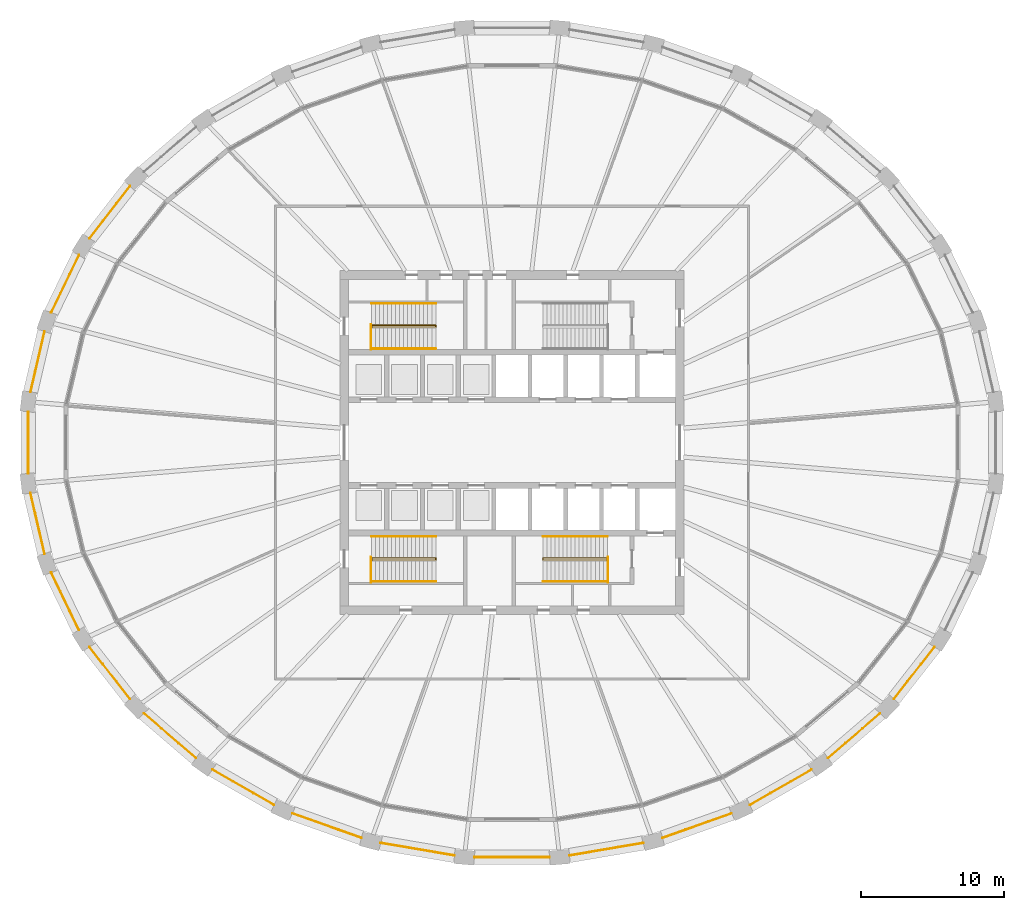
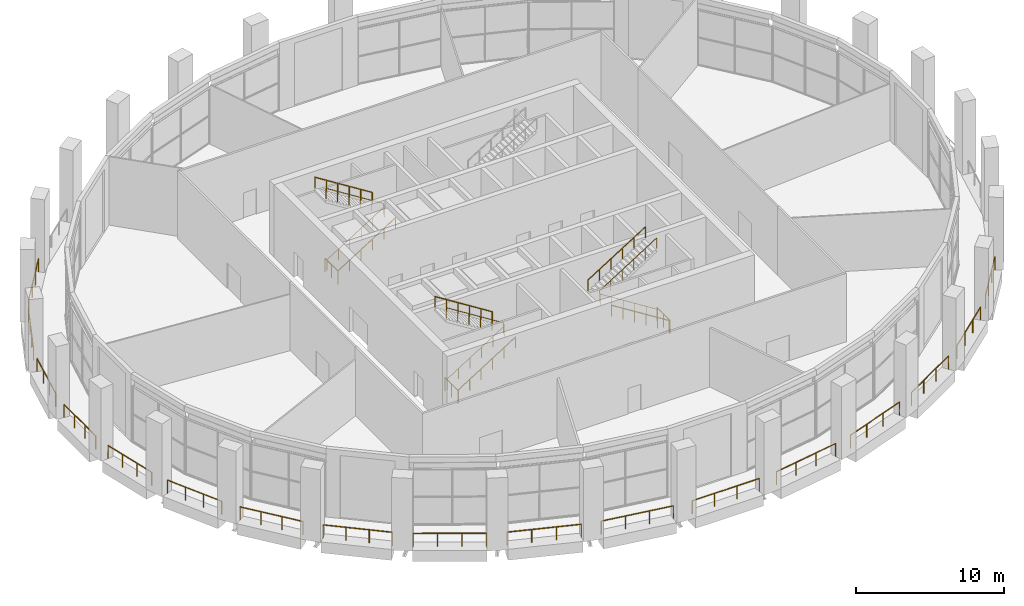
# One storey, part 17 of 19: 29 railings.
"""IFC4 building model written with IfcOpenShell, lengths in metres."""

from ifc_helpers import new_model, si_unit, direction, frame, origin, origin_2d, place, context, subcontext, project, spatial, circle, extrude, material, type_object, element, save


model = new_model("IFC4")

# Units and contexts
model_context = context("Model", 3, precision=1e-05, world=origin(), true_north=direction((0.0, 1.0)))
body_context = subcontext(model_context, "Body", "Model", "MODEL_VIEW")
ifc_project = project(units=[si_unit("LENGTHUNIT", "METRE"), si_unit("AREAUNIT", "SQUARE_METRE"), si_unit("VOLUMEUNIT", "CUBIC_METRE"), si_unit("PLANEANGLEUNIT", "RADIAN"), si_unit("MASSUNIT", "GRAM", prefix="KILO")], contexts=[model_context])

# Site, building, storey
site_placement = place(None, origin())
site = spatial("IfcSite", under=ifc_project, at=site_placement, CompositionType="ELEMENT")
building_placement = place(site_placement, origin())
building = spatial("IfcBuilding", under=site, at=building_placement, Name="Halqa Exchange Tower", CompositionType="ELEMENT")
storey_placement = place(building_placement, frame((0.0, 0.0, 167.5)))
storey = spatial("IfcBuildingStorey", under=building, at=storey_placement, Name="L38", CompositionType="ELEMENT", Elevation=167.5)

# Railings
ifc_material = material(Name="Stainless steel", Category="steel")
railing_type_1 = type_object("IfcRailingType", Name="Guard 1100 stainless steel", PredefinedType="GUARDRAIL", material=ifc_material)
railing_1_placement = place(storey_placement, frame((-26.65185546875, 17.89306640625, 0.0)))
element("IfcRailing", 1, at=railing_1_placement, inside=storey, type_object=railing_type_1, Name="Loggia guard 13", PredefinedType="GUARDRAIL", context=body_context, shape_type="SweptSolid", body=[
    extrude(circle(Radius=0.02392578125, at=origin_2d()), frame((0.0, 0.0, 1.076171875), z_axis=(-0.614787396714, -0.788692878655, 0.0), x_axis=(0.788692878655, -0.614787396714, 0.0)), (0.0, 0.0, 1.0), 4.60888671875),
    extrude(circle(Radius=0.02099609375, at=origin_2d()), origin(), (0.0, 0.0, 1.0), 1.052001953125),
    extrude(circle(Radius=0.02099609375, at=origin_2d()), frame((-0.944580078125, -1.211669921875, 0.0)), (0.0, 0.0, 1.0), 1.052001953125),
    extrude(circle(Radius=0.02099609375, at=origin_2d()), frame((-1.888916015625, -2.42333984375, 0.0)), (0.0, 0.0, 1.0), 1.052001953125),
    extrude(circle(Radius=0.02099609375, at=origin_2d()), frame((-2.83349609375, -3.635009765625, 0.0)), (0.0, 0.0, 1.0), 1.052001953125),
])
railing_2_placement = place(storey_placement, frame((-30.22021484375, 13.07568359375, 0.0)))
element("IfcRailing", 2, at=railing_2_placement, inside=storey, type_object=railing_type_1, Name="Loggia guard 14", PredefinedType="GUARDRAIL", context=body_context, shape_type="SweptSolid", body=[
    extrude(circle(Radius=0.02392578125, at=origin_2d()), frame((0.0, 0.0, 1.076171875), z_axis=(-0.435143450916, -0.900361137058, 0.0), x_axis=(0.900361137058, -0.435143450916, 0.0)), (0.0, 0.0, 1.0), 4.44873046875),
    extrude(circle(Radius=0.02099609375, at=origin_2d()), origin(), (0.0, 0.0, 1.0), 1.052001953125),
    extrude(circle(Radius=0.02099609375, at=origin_2d()), frame((-0.645263671875, -1.335205078125, 0.0)), (0.0, 0.0, 1.0), 1.052001953125),
    extrude(circle(Radius=0.02099609375, at=origin_2d()), frame((-1.29052734375, -2.670166015625, 0.0)), (0.0, 0.0, 1.0), 1.052001953125),
    extrude(circle(Radius=0.02099609375, at=origin_2d()), frame((-1.935791015625, -4.00537109375, 0.0)), (0.0, 0.0, 1.0), 1.052001953125),
])
railing_3_placement = place(storey_placement, frame((-32.61865234375, 7.75830078125, 0.0)))
element("IfcRailing", 3, at=railing_3_placement, inside=storey, type_object=railing_type_1, Name="Loggia guard 15", PredefinedType="GUARDRAIL", context=body_context, shape_type="SweptSolid", body=[
    extrude(circle(Radius=0.02392578125, at=origin_2d()), frame((0.0, 0.0, 1.076171875), z_axis=(-0.226083943623, -0.974107822798, 0.0), x_axis=(0.974107822798, -0.226083943623, 0.0)), (0.0, 0.0, 1.0), 4.3388671875),
    extrude(circle(Radius=0.02099609375, at=origin_2d()), origin(), (0.0, 0.0, 1.0), 1.052001953125),
    extrude(circle(Radius=0.02099609375, at=origin_2d()), frame((-0.326904296875, -1.408935546875, 0.0)), (0.0, 0.0, 1.0), 1.052001953125),
    extrude(circle(Radius=0.02099609375, at=origin_2d()), frame((-0.654052734375, -2.817626953125, 0.0)), (0.0, 0.0, 1.0), 1.052001953125),
    extrude(circle(Radius=0.02099609375, at=origin_2d()), frame((-0.98095703125, -4.2265625, 0.0)), (0.0, 0.0, 1.0), 1.052001953125),
])
railing_4_placement = place(storey_placement, frame((-33.7578125, 2.14990234375, 0.0)))
element("IfcRailing", 4, at=railing_4_placement, inside=storey, type_object=railing_type_1, Name="Loggia guard 16", PredefinedType="GUARDRAIL", context=body_context, shape_type="SweptSolid", body=[
    extrude(circle(Radius=0.02392578125, at=origin_2d()), frame((0.0, 0.0, 1.076171875), z_axis=(0.0, -1.0, 0.0), x_axis=(1.0, 0.0, 0.0)), (0.0, 0.0, 1.0), 4.2998046875),
    extrude(circle(Radius=0.02099609375, at=origin_2d()), origin(), (0.0, 0.0, 1.0), 1.052001953125),
    extrude(circle(Radius=0.02099609375, at=origin_2d()), frame((0.0, -1.433349609375, 0.0)), (0.0, 0.0, 1.0), 1.052001953125),
    extrude(circle(Radius=0.02099609375, at=origin_2d()), frame((0.0, -2.866455078125, 0.0)), (0.0, 0.0, 1.0), 1.052001953125),
    extrude(circle(Radius=0.02099609375, at=origin_2d()), frame((0.0, -4.2998046875, 0.0)), (0.0, 0.0, 1.0), 1.052001953125),
])
railing_5_placement = place(storey_placement, frame((-33.599609375, -3.53173828125, 0.0)))
element("IfcRailing", 5, at=railing_5_placement, inside=storey, type_object=railing_type_1, Name="Loggia guard 17", PredefinedType="GUARDRAIL", context=body_context, shape_type="SweptSolid", body=[
    extrude(circle(Radius=0.02392578125, at=origin_2d()), frame((0.0, 0.0, 1.076171875), z_axis=(0.226083943623, -0.974107822798, 0.0), x_axis=(0.974107822798, 0.226083943623, 0.0)), (0.0, 0.0, 1.0), 4.3388671875),
    extrude(circle(Radius=0.02099609375, at=origin_2d()), origin(), (0.0, 0.0, 1.0), 1.052001953125),
    extrude(circle(Radius=0.02099609375, at=origin_2d()), frame((0.326904296875, -1.408935546875, 0.0)), (0.0, 0.0, 1.0), 1.052001953125),
    extrude(circle(Radius=0.02099609375, at=origin_2d()), frame((0.654052734375, -2.817626953125, 0.0)), (0.0, 0.0, 1.0), 1.052001953125),
    extrude(circle(Radius=0.02099609375, at=origin_2d()), frame((0.98095703125, -4.2265625, 0.0)), (0.0, 0.0, 1.0), 1.052001953125),
])
railing_6_placement = place(storey_placement, frame((-32.156005859375, -9.0703125, 0.0)))
element("IfcRailing", 6, at=railing_6_placement, inside=storey, type_object=railing_type_1, Name="Loggia guard 18", PredefinedType="GUARDRAIL", context=body_context, shape_type="SweptSolid", body=[
    extrude(circle(Radius=0.02392578125, at=origin_2d()), frame((0.0, 0.0, 1.076171875), z_axis=(0.435143450916, -0.900361137058, 0.0), x_axis=(0.900361137058, 0.435143450916, 0.0)), (0.0, 0.0, 1.0), 4.44873046875),
    extrude(circle(Radius=0.02099609375, at=origin_2d()), origin(), (0.0, 0.0, 1.0), 1.052001953125),
    extrude(circle(Radius=0.02099609375, at=origin_2d()), frame((0.645263671875, -1.335205078125, 0.0)), (0.0, 0.0, 1.0), 1.052001953125),
    extrude(circle(Radius=0.02099609375, at=origin_2d()), frame((1.29052734375, -2.670166015625, 0.0)), (0.0, 0.0, 1.0), 1.052001953125),
    extrude(circle(Radius=0.02099609375, at=origin_2d()), frame((1.935791015625, -4.00537109375, 0.0)), (0.0, 0.0, 1.0), 1.052001953125),
])
railing_7_placement = place(storey_placement, frame((-29.4853515625, -14.258056640625, 0.0)))
element("IfcRailing", 7, at=railing_7_placement, inside=storey, type_object=railing_type_1, Name="Loggia guard 19", PredefinedType="GUARDRAIL", context=body_context, shape_type="SweptSolid", body=[
    extrude(circle(Radius=0.02392578125, at=origin_2d()), frame((0.0, 0.0, 1.076171875), z_axis=(0.614787396714, -0.788692878655, 0.0), x_axis=(0.788692878655, 0.614787396714, 0.0)), (0.0, 0.0, 1.0), 4.60888671875),
    extrude(circle(Radius=0.02099609375, at=origin_2d()), origin(), (0.0, 0.0, 1.0), 1.052001953125),
    extrude(circle(Radius=0.02099609375, at=origin_2d()), frame((0.944580078125, -1.211669921875, 0.0)), (0.0, 0.0, 1.0), 1.052001953125),
    extrude(circle(Radius=0.02099609375, at=origin_2d()), frame((1.888916015625, -2.42333984375, 0.0)), (0.0, 0.0, 1.0), 1.052001953125),
    extrude(circle(Radius=0.02099609375, at=origin_2d()), frame((2.83349609375, -3.635009765625, 0.0)), (0.0, 0.0, 1.0), 1.052001953125),
])
railing_8_placement = place(storey_placement, frame((-25.68994140625, -18.900634765625, 0.0)))
element("IfcRailing", 8, at=railing_8_placement, inside=storey, type_object=railing_type_1, Name="Loggia guard 20", PredefinedType="GUARDRAIL", context=body_context, shape_type="SweptSolid", body=[
    extrude(circle(Radius=0.02392578125, at=origin_2d()), frame((0.0, 0.0, 1.076171875), z_axis=(0.759245815902, -0.650803957452, 0.0), x_axis=(0.650803957452, 0.759245815902, 0.0)), (0.0, 0.0, 1.0), 4.793212890625),
    extrude(circle(Radius=0.02099609375, at=origin_2d()), origin(), (0.0, 0.0, 1.0), 1.052001953125),
    extrude(circle(Radius=0.02099609375, at=origin_2d()), frame((1.213134765625, -1.039794921875, 0.0)), (0.0, 0.0, 1.0), 1.052001953125),
    extrude(circle(Radius=0.02099609375, at=origin_2d()), frame((2.426025390625, -2.07958984375, 0.0)), (0.0, 0.0, 1.0), 1.052001953125),
    extrude(circle(Radius=0.02099609375, at=origin_2d()), frame((3.63916015625, -3.119384765625, 0.0)), (0.0, 0.0, 1.0), 1.052001953125),
])
railing_9_placement = place(storey_placement, frame((-20.911865234375, -22.8232421875, 0.0)))
element("IfcRailing", 9, at=railing_9_placement, inside=storey, type_object=railing_type_1, Name="Loggia guard 21", PredefinedType="GUARDRAIL", context=body_context, shape_type="SweptSolid", body=[
    extrude(circle(Radius=0.02392578125, at=origin_2d()), frame((0.0, 0.0, 1.076171875), z_axis=(0.867750144397, -0.497000691044, 0.0), x_axis=(0.497000691044, 0.867750144397, 0.0)), (0.0, 0.0, 1.0), 4.9716796875),
    extrude(circle(Radius=0.02099609375, at=origin_2d()), origin(), (0.0, 0.0, 1.0), 1.052001953125),
    extrude(circle(Radius=0.02099609375, at=origin_2d()), frame((1.43798828125, -0.82373046875, 0.0)), (0.0, 0.0, 1.0), 1.052001953125),
    extrude(circle(Radius=0.02099609375, at=origin_2d()), frame((2.876220703125, -1.647216796875, 0.0)), (0.0, 0.0, 1.0), 1.052001953125),
    extrude(circle(Radius=0.02099609375, at=origin_2d()), frame((4.314208984375, -2.470947265625, 0.0)), (0.0, 0.0, 1.0), 1.052001953125),
])
railing_10_placement = place(storey_placement, frame((-15.33056640625, -25.876220703125, 0.0)))
element("IfcRailing", 10, at=railing_10_placement, inside=storey, type_object=railing_type_1, Name="Loggia guard 22", PredefinedType="GUARDRAIL", context=body_context, shape_type="SweptSolid", body=[
    extrude(circle(Radius=0.02392578125, at=origin_2d()), frame((0.0, 0.0, 1.076171875), z_axis=(0.942356449768, -0.334610701532, 0.0), x_axis=(0.334610701532, 0.942356449768, 0.0)), (0.0, 0.0, 1.0), 5.119140625),
    extrude(circle(Radius=0.02099609375, at=origin_2d()), origin(), (0.0, 0.0, 1.0), 1.052001953125),
    extrude(circle(Radius=0.02099609375, at=origin_2d()), frame((1.60791015625, -0.571044921875, 0.0)), (0.0, 0.0, 1.0), 1.052001953125),
    extrude(circle(Radius=0.02099609375, at=origin_2d()), frame((3.216064453125, -1.141845703125, 0.0)), (0.0, 0.0, 1.0), 1.052001953125),
    extrude(circle(Radius=0.02099609375, at=origin_2d()), frame((4.823974609375, -1.712890625, 0.0)), (0.0, 0.0, 1.0), 1.052001953125),
])
railing_11_placement = place(storey_placement, frame((-9.15673828125, -27.94091796875, 0.0)))
element("IfcRailing", 11, at=railing_11_placement, inside=storey, type_object=railing_type_1, Name="Loggia guard 23", PredefinedType="GUARDRAIL", context=body_context, shape_type="SweptSolid", body=[
    extrude(circle(Radius=0.02392578125, at=origin_2d()), frame((0.0, 0.0, 1.076171875), z_axis=(0.985781275518, -0.168033558668, 0.0), x_axis=(0.168033558668, 0.985781275518, 0.0)), (0.0, 0.0, 1.0), 5.216064453125),
    extrude(circle(Radius=0.02099609375, at=origin_2d()), origin(), (0.0, 0.0, 1.0), 1.052001953125),
    extrude(circle(Radius=0.02099609375, at=origin_2d()), frame((1.7138671875, -0.292236328125, 0.0)), (0.0, 0.0, 1.0), 1.052001953125),
    extrude(circle(Radius=0.02099609375, at=origin_2d()), frame((3.427978515625, -0.584228515625, 0.0)), (0.0, 0.0, 1.0), 1.052001953125),
    extrude(circle(Radius=0.02099609375, at=origin_2d()), frame((5.141845703125, -0.87646484375, 0.0)), (0.0, 0.0, 1.0), 1.052001953125),
])
railing_12_placement = place(storey_placement, frame((-2.624755859375, -28.935302734375, 0.0)))
element("IfcRailing", 12, at=railing_12_placement, inside=storey, type_object=railing_type_1, Name="Loggia guard 24", PredefinedType="GUARDRAIL", context=body_context, shape_type="SweptSolid", body=[
    extrude(circle(Radius=0.02392578125, at=origin_2d()), frame((0.0, 0.0, 1.076171875), z_axis=(1.0, 0.0, 0.0), x_axis=(0.0, 1.0, 0.0)), (0.0, 0.0, 1.0), 5.24951171875),
    extrude(circle(Radius=0.02099609375, at=origin_2d()), origin(), (0.0, 0.0, 1.0), 1.052001953125),
    extrude(circle(Radius=0.02099609375, at=origin_2d()), frame((1.749755859375, 0.0, 0.0)), (0.0, 0.0, 1.0), 1.052001953125),
    extrude(circle(Radius=0.02099609375, at=origin_2d()), frame((3.499755859375, 0.0, 0.0)), (0.0, 0.0, 1.0), 1.052001953125),
    extrude(circle(Radius=0.02099609375, at=origin_2d()), frame((5.24951171875, 0.0, 0.0)), (0.0, 0.0, 1.0), 1.052001953125),
])
railing_13_placement = place(storey_placement, frame((4.014892578125, -28.8173828125, 0.0)))
element("IfcRailing", 13, at=railing_13_placement, inside=storey, type_object=railing_type_1, Name="Loggia guard 25", PredefinedType="GUARDRAIL", context=body_context, shape_type="SweptSolid", body=[
    extrude(circle(Radius=0.02392578125, at=origin_2d()), frame((0.0, 0.0, 1.076171875), z_axis=(0.985781275518, 0.168033558668, 0.0), x_axis=(-0.168033558668, 0.985781275518, 0.0)), (0.0, 0.0, 1.0), 5.216064453125),
    extrude(circle(Radius=0.02099609375, at=origin_2d()), origin(), (0.0, 0.0, 1.0), 1.052001953125),
    extrude(circle(Radius=0.02099609375, at=origin_2d()), frame((1.7138671875, 0.292236328125, 0.0)), (0.0, 0.0, 1.0), 1.052001953125),
    extrude(circle(Radius=0.02099609375, at=origin_2d()), frame((3.427978515625, 0.584228515625, 0.0)), (0.0, 0.0, 1.0), 1.052001953125),
    extrude(circle(Radius=0.02099609375, at=origin_2d()), frame((5.141845703125, 0.87646484375, 0.0)), (0.0, 0.0, 1.0), 1.052001953125),
])
railing_14_placement = place(storey_placement, frame((10.506591796875, -27.589111328125, 0.0)))
element("IfcRailing", 14, at=railing_14_placement, inside=storey, type_object=railing_type_1, Name="Loggia guard 26", PredefinedType="GUARDRAIL", context=body_context, shape_type="SweptSolid", body=[
    extrude(circle(Radius=0.02392578125, at=origin_2d()), frame((0.0, 0.0, 1.076171875), z_axis=(0.942356449768, 0.334610701532, 0.0), x_axis=(-0.334610701532, 0.942356449768, 0.0)), (0.0, 0.0, 1.0), 5.119140625),
    extrude(circle(Radius=0.02099609375, at=origin_2d()), origin(), (0.0, 0.0, 1.0), 1.052001953125),
    extrude(circle(Radius=0.02099609375, at=origin_2d()), frame((1.60791015625, 0.571044921875, 0.0)), (0.0, 0.0, 1.0), 1.052001953125),
    extrude(circle(Radius=0.02099609375, at=origin_2d()), frame((3.216064453125, 1.141845703125, 0.0)), (0.0, 0.0, 1.0), 1.052001953125),
    extrude(circle(Radius=0.02099609375, at=origin_2d()), frame((4.823974609375, 1.712890625, 0.0)), (0.0, 0.0, 1.0), 1.052001953125),
])
railing_15_placement = place(storey_placement, frame((16.59765625, -25.294189453125, 0.0)))
element("IfcRailing", 15, at=railing_15_placement, inside=storey, type_object=railing_type_1, Name="Loggia guard 27", PredefinedType="GUARDRAIL", context=body_context, shape_type="SweptSolid", body=[
    extrude(circle(Radius=0.02392578125, at=origin_2d()), frame((0.0, 0.0, 1.076171875), z_axis=(0.867750144397, 0.497000691044, 0.0), x_axis=(-0.497000691044, 0.867750144397, 0.0)), (0.0, 0.0, 1.0), 4.9716796875),
    extrude(circle(Radius=0.02099609375, at=origin_2d()), origin(), (0.0, 0.0, 1.0), 1.052001953125),
    extrude(circle(Radius=0.02099609375, at=origin_2d()), frame((1.43798828125, 0.82373046875, 0.0)), (0.0, 0.0, 1.0), 1.052001953125),
    extrude(circle(Radius=0.02099609375, at=origin_2d()), frame((2.876220703125, 1.647216796875, 0.0)), (0.0, 0.0, 1.0), 1.052001953125),
    extrude(circle(Radius=0.02099609375, at=origin_2d()), frame((4.314208984375, 2.470947265625, 0.0)), (0.0, 0.0, 1.0), 1.052001953125),
])
railing_16_placement = place(storey_placement, frame((22.05078125, -22.02001953125, 0.0)))
element("IfcRailing", 16, at=railing_16_placement, inside=storey, type_object=railing_type_1, Name="Loggia guard 28", PredefinedType="GUARDRAIL", context=body_context, shape_type="SweptSolid", body=[
    extrude(circle(Radius=0.02392578125, at=origin_2d()), frame((0.0, 0.0, 1.076171875), z_axis=(0.759245815902, 0.650803957452, 0.0), x_axis=(-0.650803957452, 0.759245815902, 0.0)), (0.0, 0.0, 1.0), 4.793212890625),
    extrude(circle(Radius=0.02099609375, at=origin_2d()), origin(), (0.0, 0.0, 1.0), 1.052001953125),
    extrude(circle(Radius=0.02099609375, at=origin_2d()), frame((1.213134765625, 1.039794921875, 0.0)), (0.0, 0.0, 1.0), 1.052001953125),
    extrude(circle(Radius=0.02099609375, at=origin_2d()), frame((2.426025390625, 2.07958984375, 0.0)), (0.0, 0.0, 1.0), 1.052001953125),
    extrude(circle(Radius=0.02099609375, at=origin_2d()), frame((3.63916015625, 3.119384765625, 0.0)), (0.0, 0.0, 1.0), 1.052001953125),
])
railing_17_placement = place(storey_placement, frame((26.65185546875, -17.89306640625, 0.0)))
element("IfcRailing", 17, at=railing_17_placement, inside=storey, type_object=railing_type_1, Name="Loggia guard 29", PredefinedType="GUARDRAIL", context=body_context, shape_type="SweptSolid", body=[
    extrude(circle(Radius=0.02392578125, at=origin_2d()), frame((0.0, 0.0, 1.076171875), z_axis=(0.614787396714, 0.788692878655, 0.0), x_axis=(-0.788692878655, 0.614787396714, 0.0)), (0.0, 0.0, 1.0), 4.60888671875),
    extrude(circle(Radius=0.02099609375, at=origin_2d()), origin(), (0.0, 0.0, 1.0), 1.052001953125),
    extrude(circle(Radius=0.02099609375, at=origin_2d()), frame((0.944580078125, 1.211669921875, 0.0)), (0.0, 0.0, 1.0), 1.052001953125),
    extrude(circle(Radius=0.02099609375, at=origin_2d()), frame((1.888916015625, 2.42333984375, 0.0)), (0.0, 0.0, 1.0), 1.052001953125),
    extrude(circle(Radius=0.02099609375, at=origin_2d()), frame((2.83349609375, 3.635009765625, 0.0)), (0.0, 0.0, 1.0), 1.052001953125),
])
railing_type_2 = type_object("IfcRailingType", Name="Stair handrail 900", PredefinedType="HANDRAIL", material=ifc_material)
railing_18_placement = place(storey_placement, frame((-9.800048828125, 8.06005859375, 0.176513671875)))
element("IfcRailing", 18, at=railing_18_placement, inside=storey, type_object=railing_type_2, Name="Handrail ST1.1", PredefinedType="HANDRAIL", context=body_context, shape_type="SweptSolid", body=[
    extrude(circle(Radius=0.02392578125, at=origin_2d()), frame((0.0, 0.0, 0.8759765625), z_axis=(0.845997938375, 0.0, 0.533186166611), x_axis=(0.0, 1.0, 0.0)), (0.0, 0.0, 1.0), 5.29541015625),
    extrude(circle(Radius=0.02392578125, at=origin_2d()), frame((4.47998046875, 0.0, 3.69921875), z_axis=(0.0, 0.592666891562, 0.805447674059), x_axis=(-1.0, 0.0, 0.0)), (0.0, 0.0, 1.0), 0.21923828125),
    extrude(circle(Radius=0.02392578125, at=origin_2d()), frame((4.47998046875, 0.1298828125, 3.8759765625), z_axis=(-0.845997938375, 0.0, 0.533186166611), x_axis=(0.0, -1.0, 0.0)), (0.0, 0.0, 1.0), 5.29541015625),
    extrude(circle(Radius=0.02099609375, at=origin_2d()), origin(), (0.0, 0.0, 1.0), 0.851806640625),
    extrude(circle(Radius=0.02099609375, at=origin_2d()), frame((0.89599609375, 0.0, 0.564697265625)), (0.0, 0.0, 1.0), 0.851806640625),
    extrude(circle(Radius=0.02099609375, at=origin_2d()), frame((1.7919921875, 0.0, 1.12939453125)), (0.0, 0.0, 1.0), 0.851806640625),
    extrude(circle(Radius=0.02099609375, at=origin_2d()), frame((2.68798828125, 0.0, 1.694091796875)), (0.0, 0.0, 1.0), 0.851806640625),
    extrude(circle(Radius=0.02099609375, at=origin_2d()), frame((3.583984375, 0.0, 2.2587890625)), (0.0, 0.0, 1.0), 0.851806640625),
    extrude(circle(Radius=0.02099609375, at=origin_2d()), frame((4.47998046875, 0.0, 2.823486328125)), (0.0, 0.0, 1.0), 0.851806640625),
    extrude(circle(Radius=0.02099609375, at=origin_2d()), frame((4.47998046875, 0.1298828125, 3.0)), (0.0, 0.0, 1.0), 0.851806640625),
    extrude(circle(Radius=0.02099609375, at=origin_2d()), frame((3.583984375, 0.1298828125, 3.564697265625)), (0.0, 0.0, 1.0), 0.851806640625),
    extrude(circle(Radius=0.02099609375, at=origin_2d()), frame((2.68798828125, 0.1298828125, 4.12939453125)), (0.0, 0.0, 1.0), 0.851806640625),
    extrude(circle(Radius=0.02099609375, at=origin_2d()), frame((1.7919921875, 0.1298828125, 4.694091796875)), (0.0, 0.0, 1.0), 0.851806640625),
    extrude(circle(Radius=0.02099609375, at=origin_2d()), frame((0.89599609375, 0.1298828125, 5.2587890625)), (0.0, 0.0, 1.0), 0.851806640625),
    extrude(circle(Radius=0.02099609375, at=origin_2d()), frame((0.0, 0.1298828125, 5.823486328125)), (0.0, 0.0, 1.0), 0.851806640625),
])
railing_19_placement = place(storey_placement, frame((-9.800048828125, 6.550048828125, 0.176513671875)))
element("IfcRailing", 19, at=railing_19_placement, inside=storey, type_object=railing_type_2, Name="Handrail ST1.2", PredefinedType="HANDRAIL", context=body_context, shape_type="SweptSolid", body=[
    extrude(circle(Radius=0.02392578125, at=origin_2d()), frame((0.0, 0.0, 0.8759765625), z_axis=(0.845997938375, 0.0, 0.533186166611), x_axis=(0.0, 1.0, 0.0)), (0.0, 0.0, 1.0), 5.29541015625),
    extrude(circle(Radius=0.02099609375, at=origin_2d()), origin(), (0.0, 0.0, 1.0), 0.851806640625),
    extrude(circle(Radius=0.02099609375, at=origin_2d()), frame((0.89599609375, 0.0, 0.564697265625)), (0.0, 0.0, 1.0), 0.851806640625),
    extrude(circle(Radius=0.02099609375, at=origin_2d()), frame((1.7919921875, 0.0, 1.12939453125)), (0.0, 0.0, 1.0), 0.851806640625),
    extrude(circle(Radius=0.02099609375, at=origin_2d()), frame((2.68798828125, 0.0, 1.694091796875)), (0.0, 0.0, 1.0), 0.851806640625),
    extrude(circle(Radius=0.02099609375, at=origin_2d()), frame((3.583984375, 0.0, 2.2587890625)), (0.0, 0.0, 1.0), 0.851806640625),
    extrude(circle(Radius=0.02099609375, at=origin_2d()), frame((4.47998046875, 0.0, 2.823486328125)), (0.0, 0.0, 1.0), 0.851806640625),
])
railing_20_placement = place(storey_placement, frame((-5.320068359375, 9.699951171875, 3.176513671875)))
element("IfcRailing", 20, at=railing_20_placement, inside=storey, type_object=railing_type_2, Name="Handrail ST1.3", PredefinedType="HANDRAIL", context=body_context, shape_type="SweptSolid", body=[
    extrude(circle(Radius=0.02392578125, at=origin_2d()), frame((0.0, 0.0, 0.8759765625), z_axis=(-0.845997938375, 0.0, 0.533186166611), x_axis=(0.0, -1.0, 0.0)), (0.0, 0.0, 1.0), 5.29541015625),
    extrude(circle(Radius=0.02099609375, at=origin_2d()), origin(), (0.0, 0.0, 1.0), 0.851806640625),
    extrude(circle(Radius=0.02099609375, at=origin_2d()), frame((-0.89599609375, 0.0, 0.564697265625)), (0.0, 0.0, 1.0), 0.851806640625),
    extrude(circle(Radius=0.02099609375, at=origin_2d()), frame((-1.7919921875, 0.0, 1.12939453125)), (0.0, 0.0, 1.0), 0.851806640625),
    extrude(circle(Radius=0.02099609375, at=origin_2d()), frame((-2.68798828125, 0.0, 1.694091796875)), (0.0, 0.0, 1.0), 0.851806640625),
    extrude(circle(Radius=0.02099609375, at=origin_2d()), frame((-3.583984375, 0.0, 2.2587890625)), (0.0, 0.0, 1.0), 0.851806640625),
    extrude(circle(Radius=0.02099609375, at=origin_2d()), frame((-4.47998046875, 0.0, 2.823486328125)), (0.0, 0.0, 1.0), 0.851806640625),
])
railing_21_placement = place(storey_placement, frame((-9.800048828125, -8.18994140625, 0.176513671875)))
element("IfcRailing", 21, at=railing_21_placement, inside=storey, type_object=railing_type_2, Name="Handrail ST3.1", PredefinedType="HANDRAIL", context=body_context, shape_type="SweptSolid", body=[
    extrude(circle(Radius=0.02392578125, at=origin_2d()), frame((0.0, 0.0, 0.8759765625), z_axis=(0.845997938375, 0.0, 0.533186166611), x_axis=(0.0, 1.0, 0.0)), (0.0, 0.0, 1.0), 5.29541015625),
    extrude(circle(Radius=0.02392578125, at=origin_2d()), frame((4.47998046875, 0.0, 3.69921875), z_axis=(0.0, 0.592666891562, 0.805447674059), x_axis=(-1.0, 0.0, 0.0)), (0.0, 0.0, 1.0), 0.21923828125),
    extrude(circle(Radius=0.02392578125, at=origin_2d()), frame((4.47998046875, 0.1298828125, 3.8759765625), z_axis=(-0.845997938375, 0.0, 0.533186166611), x_axis=(0.0, -1.0, 0.0)), (0.0, 0.0, 1.0), 5.29541015625),
    extrude(circle(Radius=0.02099609375, at=origin_2d()), origin(), (0.0, 0.0, 1.0), 0.851806640625),
    extrude(circle(Radius=0.02099609375, at=origin_2d()), frame((0.89599609375, 0.0, 0.564697265625)), (0.0, 0.0, 1.0), 0.851806640625),
    extrude(circle(Radius=0.02099609375, at=origin_2d()), frame((1.7919921875, 0.0, 1.12939453125)), (0.0, 0.0, 1.0), 0.851806640625),
    extrude(circle(Radius=0.02099609375, at=origin_2d()), frame((2.68798828125, 0.0, 1.694091796875)), (0.0, 0.0, 1.0), 0.851806640625),
    extrude(circle(Radius=0.02099609375, at=origin_2d()), frame((3.583984375, 0.0, 2.2587890625)), (0.0, 0.0, 1.0), 0.851806640625),
    extrude(circle(Radius=0.02099609375, at=origin_2d()), frame((4.47998046875, 0.0, 2.823486328125)), (0.0, 0.0, 1.0), 0.851806640625),
    extrude(circle(Radius=0.02099609375, at=origin_2d()), frame((4.47998046875, 0.1298828125, 3.0)), (0.0, 0.0, 1.0), 0.851806640625),
    extrude(circle(Radius=0.02099609375, at=origin_2d()), frame((3.583984375, 0.1298828125, 3.564697265625)), (0.0, 0.0, 1.0), 0.851806640625),
    extrude(circle(Radius=0.02099609375, at=origin_2d()), frame((2.68798828125, 0.1298828125, 4.12939453125)), (0.0, 0.0, 1.0), 0.851806640625),
    extrude(circle(Radius=0.02099609375, at=origin_2d()), frame((1.7919921875, 0.1298828125, 4.694091796875)), (0.0, 0.0, 1.0), 0.851806640625),
    extrude(circle(Radius=0.02099609375, at=origin_2d()), frame((0.89599609375, 0.1298828125, 5.2587890625)), (0.0, 0.0, 1.0), 0.851806640625),
    extrude(circle(Radius=0.02099609375, at=origin_2d()), frame((0.0, 0.1298828125, 5.823486328125)), (0.0, 0.0, 1.0), 0.851806640625),
])
railing_22_placement = place(storey_placement, frame((-9.800048828125, -9.699951171875, 0.176513671875)))
element("IfcRailing", 22, at=railing_22_placement, inside=storey, type_object=railing_type_2, Name="Handrail ST3.2", PredefinedType="HANDRAIL", context=body_context, shape_type="SweptSolid", body=[
    extrude(circle(Radius=0.02392578125, at=origin_2d()), frame((0.0, 0.0, 0.8759765625), z_axis=(0.845997938375, 0.0, 0.533186166611), x_axis=(0.0, 1.0, 0.0)), (0.0, 0.0, 1.0), 5.29541015625),
    extrude(circle(Radius=0.02099609375, at=origin_2d()), origin(), (0.0, 0.0, 1.0), 0.851806640625),
    extrude(circle(Radius=0.02099609375, at=origin_2d()), frame((0.89599609375, 0.0, 0.564697265625)), (0.0, 0.0, 1.0), 0.851806640625),
    extrude(circle(Radius=0.02099609375, at=origin_2d()), frame((1.7919921875, 0.0, 1.12939453125)), (0.0, 0.0, 1.0), 0.851806640625),
    extrude(circle(Radius=0.02099609375, at=origin_2d()), frame((2.68798828125, 0.0, 1.694091796875)), (0.0, 0.0, 1.0), 0.851806640625),
    extrude(circle(Radius=0.02099609375, at=origin_2d()), frame((3.583984375, 0.0, 2.2587890625)), (0.0, 0.0, 1.0), 0.851806640625),
    extrude(circle(Radius=0.02099609375, at=origin_2d()), frame((4.47998046875, 0.0, 2.823486328125)), (0.0, 0.0, 1.0), 0.851806640625),
])
railing_23_placement = place(storey_placement, frame((-5.320068359375, -6.550048828125, 3.176513671875)))
element("IfcRailing", 23, at=railing_23_placement, inside=storey, type_object=railing_type_2, Name="Handrail ST3.3", PredefinedType="HANDRAIL", context=body_context, shape_type="SweptSolid", body=[
    extrude(circle(Radius=0.02392578125, at=origin_2d()), frame((0.0, 0.0, 0.8759765625), z_axis=(-0.845997938375, 0.0, 0.533186166611), x_axis=(0.0, -1.0, 0.0)), (0.0, 0.0, 1.0), 5.29541015625),
    extrude(circle(Radius=0.02099609375, at=origin_2d()), origin(), (0.0, 0.0, 1.0), 0.851806640625),
    extrude(circle(Radius=0.02099609375, at=origin_2d()), frame((-0.89599609375, 0.0, 0.564697265625)), (0.0, 0.0, 1.0), 0.851806640625),
    extrude(circle(Radius=0.02099609375, at=origin_2d()), frame((-1.7919921875, 0.0, 1.12939453125)), (0.0, 0.0, 1.0), 0.851806640625),
    extrude(circle(Radius=0.02099609375, at=origin_2d()), frame((-2.68798828125, 0.0, 1.694091796875)), (0.0, 0.0, 1.0), 0.851806640625),
    extrude(circle(Radius=0.02099609375, at=origin_2d()), frame((-3.583984375, 0.0, 2.2587890625)), (0.0, 0.0, 1.0), 0.851806640625),
    extrude(circle(Radius=0.02099609375, at=origin_2d()), frame((-4.47998046875, 0.0, 2.823486328125)), (0.0, 0.0, 1.0), 0.851806640625),
])
railing_24_placement = place(storey_placement, frame((6.64990234375, -8.18994140625, 0.176513671875)))
element("IfcRailing", 24, at=railing_24_placement, inside=storey, type_object=railing_type_2, Name="Handrail ST4.1", PredefinedType="HANDRAIL", context=body_context, shape_type="SweptSolid", body=[
    extrude(circle(Radius=0.02392578125, at=origin_2d()), frame((0.0, 0.0, 0.8759765625), z_axis=(-0.845997938375, 0.0, 0.533186166611), x_axis=(0.0, -1.0, 0.0)), (0.0, 0.0, 1.0), 5.29541015625),
    extrude(circle(Radius=0.02392578125, at=origin_2d()), frame((-4.47998046875, 0.0, 3.69921875), z_axis=(0.0, 0.592666891562, 0.805447674059), x_axis=(-1.0, 0.0, 0.0)), (0.0, 0.0, 1.0), 0.21923828125),
    extrude(circle(Radius=0.02392578125, at=origin_2d()), frame((-4.47998046875, 0.1298828125, 3.8759765625), z_axis=(0.845997938375, 0.0, 0.533186166611), x_axis=(0.0, 1.0, 0.0)), (0.0, 0.0, 1.0), 5.29541015625),
    extrude(circle(Radius=0.02099609375, at=origin_2d()), origin(), (0.0, 0.0, 1.0), 0.851806640625),
    extrude(circle(Radius=0.02099609375, at=origin_2d()), frame((-0.89599609375, 0.0, 0.564697265625)), (0.0, 0.0, 1.0), 0.851806640625),
    extrude(circle(Radius=0.02099609375, at=origin_2d()), frame((-1.7919921875, 0.0, 1.12939453125)), (0.0, 0.0, 1.0), 0.851806640625),
    extrude(circle(Radius=0.02099609375, at=origin_2d()), frame((-2.68798828125, 0.0, 1.694091796875)), (0.0, 0.0, 1.0), 0.851806640625),
    extrude(circle(Radius=0.02099609375, at=origin_2d()), frame((-3.583984375, 0.0, 2.2587890625)), (0.0, 0.0, 1.0), 0.851806640625),
    extrude(circle(Radius=0.02099609375, at=origin_2d()), frame((-4.47998046875, 0.0, 2.823486328125)), (0.0, 0.0, 1.0), 0.851806640625),
    extrude(circle(Radius=0.02099609375, at=origin_2d()), frame((-4.47998046875, 0.1298828125, 3.0)), (0.0, 0.0, 1.0), 0.851806640625),
    extrude(circle(Radius=0.02099609375, at=origin_2d()), frame((-3.583984375, 0.1298828125, 3.564697265625)), (0.0, 0.0, 1.0), 0.851806640625),
    extrude(circle(Radius=0.02099609375, at=origin_2d()), frame((-2.68798828125, 0.1298828125, 4.12939453125)), (0.0, 0.0, 1.0), 0.851806640625),
    extrude(circle(Radius=0.02099609375, at=origin_2d()), frame((-1.7919921875, 0.1298828125, 4.694091796875)), (0.0, 0.0, 1.0), 0.851806640625),
    extrude(circle(Radius=0.02099609375, at=origin_2d()), frame((-0.89599609375, 0.1298828125, 5.2587890625)), (0.0, 0.0, 1.0), 0.851806640625),
    extrude(circle(Radius=0.02099609375, at=origin_2d()), frame((0.0, 0.1298828125, 5.823486328125)), (0.0, 0.0, 1.0), 0.851806640625),
])
railing_25_placement = place(storey_placement, frame((6.64990234375, -9.699951171875, 0.176513671875)))
element("IfcRailing", 25, at=railing_25_placement, inside=storey, type_object=railing_type_2, Name="Handrail ST4.2", PredefinedType="HANDRAIL", context=body_context, shape_type="SweptSolid", body=[
    extrude(circle(Radius=0.02392578125, at=origin_2d()), frame((0.0, 0.0, 0.8759765625), z_axis=(-0.845997938375, 0.0, 0.533186166611), x_axis=(0.0, -1.0, 0.0)), (0.0, 0.0, 1.0), 5.29541015625),
    extrude(circle(Radius=0.02099609375, at=origin_2d()), origin(), (0.0, 0.0, 1.0), 0.851806640625),
    extrude(circle(Radius=0.02099609375, at=origin_2d()), frame((-0.89599609375, 0.0, 0.564697265625)), (0.0, 0.0, 1.0), 0.851806640625),
    extrude(circle(Radius=0.02099609375, at=origin_2d()), frame((-1.7919921875, 0.0, 1.12939453125)), (0.0, 0.0, 1.0), 0.851806640625),
    extrude(circle(Radius=0.02099609375, at=origin_2d()), frame((-2.68798828125, 0.0, 1.694091796875)), (0.0, 0.0, 1.0), 0.851806640625),
    extrude(circle(Radius=0.02099609375, at=origin_2d()), frame((-3.583984375, 0.0, 2.2587890625)), (0.0, 0.0, 1.0), 0.851806640625),
    extrude(circle(Radius=0.02099609375, at=origin_2d()), frame((-4.47998046875, 0.0, 2.823486328125)), (0.0, 0.0, 1.0), 0.851806640625),
])
railing_26_placement = place(storey_placement, frame((2.169921875, -6.550048828125, 3.176513671875)))
element("IfcRailing", 26, at=railing_26_placement, inside=storey, type_object=railing_type_2, Name="Handrail ST4.3", PredefinedType="HANDRAIL", context=body_context, shape_type="SweptSolid", body=[
    extrude(circle(Radius=0.02392578125, at=origin_2d()), frame((0.0, 0.0, 0.8759765625), z_axis=(0.845997938375, 0.0, 0.533186166611), x_axis=(0.0, 1.0, 0.0)), (0.0, 0.0, 1.0), 5.29541015625),
    extrude(circle(Radius=0.02099609375, at=origin_2d()), origin(), (0.0, 0.0, 1.0), 0.851806640625),
    extrude(circle(Radius=0.02099609375, at=origin_2d()), frame((0.89599609375, 0.0, 0.564697265625)), (0.0, 0.0, 1.0), 0.851806640625),
    extrude(circle(Radius=0.02099609375, at=origin_2d()), frame((1.7919921875, 0.0, 1.12939453125)), (0.0, 0.0, 1.0), 0.851806640625),
    extrude(circle(Radius=0.02099609375, at=origin_2d()), frame((2.68798828125, 0.0, 1.694091796875)), (0.0, 0.0, 1.0), 0.851806640625),
    extrude(circle(Radius=0.02099609375, at=origin_2d()), frame((3.583984375, 0.0, 2.2587890625)), (0.0, 0.0, 1.0), 0.851806640625),
    extrude(circle(Radius=0.02099609375, at=origin_2d()), frame((4.47998046875, 0.0, 2.823486328125)), (0.0, 0.0, 1.0), 0.851806640625),
])
railing_type_3 = type_object("IfcRailingType", Name="Stair well guard 1100", PredefinedType="GUARDRAIL", material=ifc_material)
for number, where, name in (
    (27, (-9.85009765625, 6.5, 0.0), "Guard ST1 well"),
    (28, (-9.85009765625, -9.75, 0.0), "Guard ST3 well"),
    (29, (6.699951171875, -9.75, 0.0), "Guard ST4 well"),
):
    element("IfcRailing", number, at=place(storey_placement, frame(where)), inside=storey, type_object=railing_type_3, Name=name, PredefinedType="GUARDRAIL", context=body_context, shape_type="SweptSolid", body=[
        extrude(circle(Radius=0.02392578125, at=origin_2d()), frame((0.0, 0.0, 1.076171875), z_axis=(0.0, 1.0, 0.0), x_axis=(-1.0, 0.0, 0.0)), (0.0, 0.0, 1.0), 1.75),
        extrude(circle(Radius=0.02099609375, at=origin_2d()), origin(), (0.0, 0.0, 1.0), 1.052001953125),
        extrude(circle(Radius=0.02099609375, at=origin_2d()), frame((0.0, 0.875, 0.0)), (0.0, 0.0, 1.0), 1.052001953125),
        extrude(circle(Radius=0.02099609375, at=origin_2d()), frame((0.0, 1.75, 0.0)), (0.0, 0.0, 1.0), 1.052001953125),
    ])

save(model, "model.ifc")
